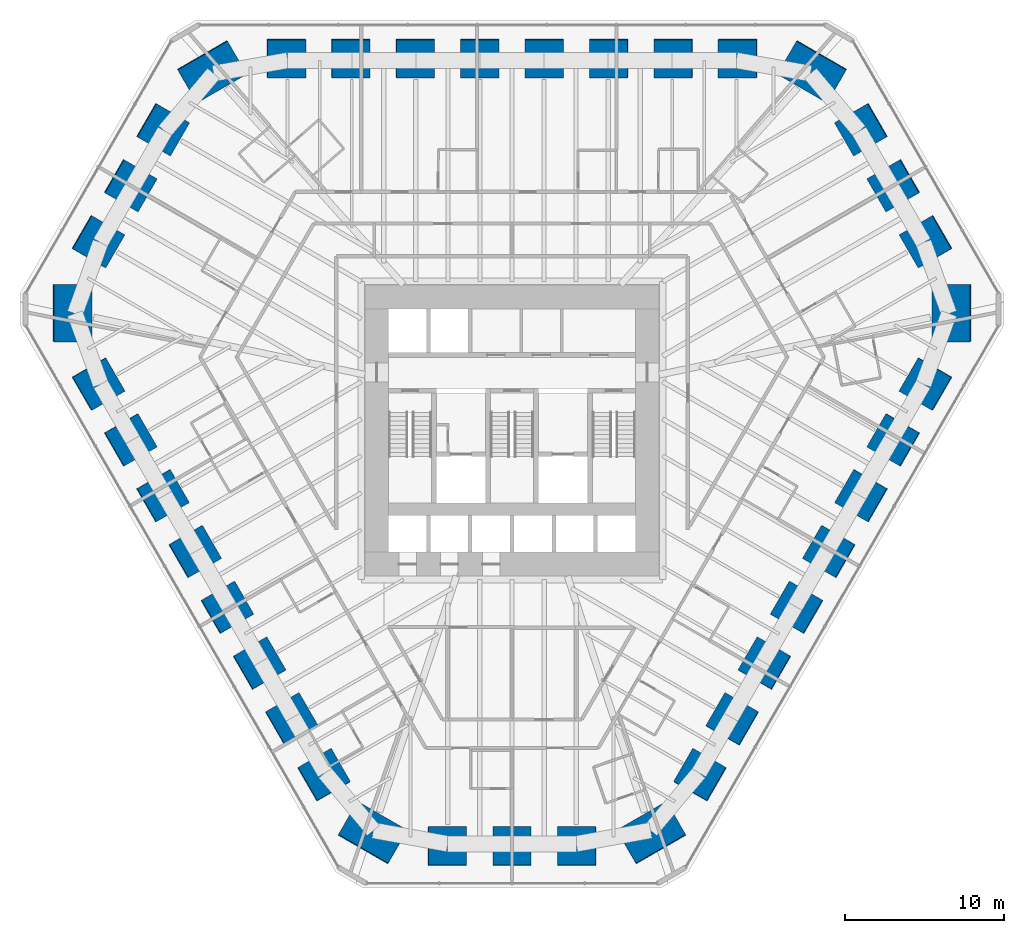
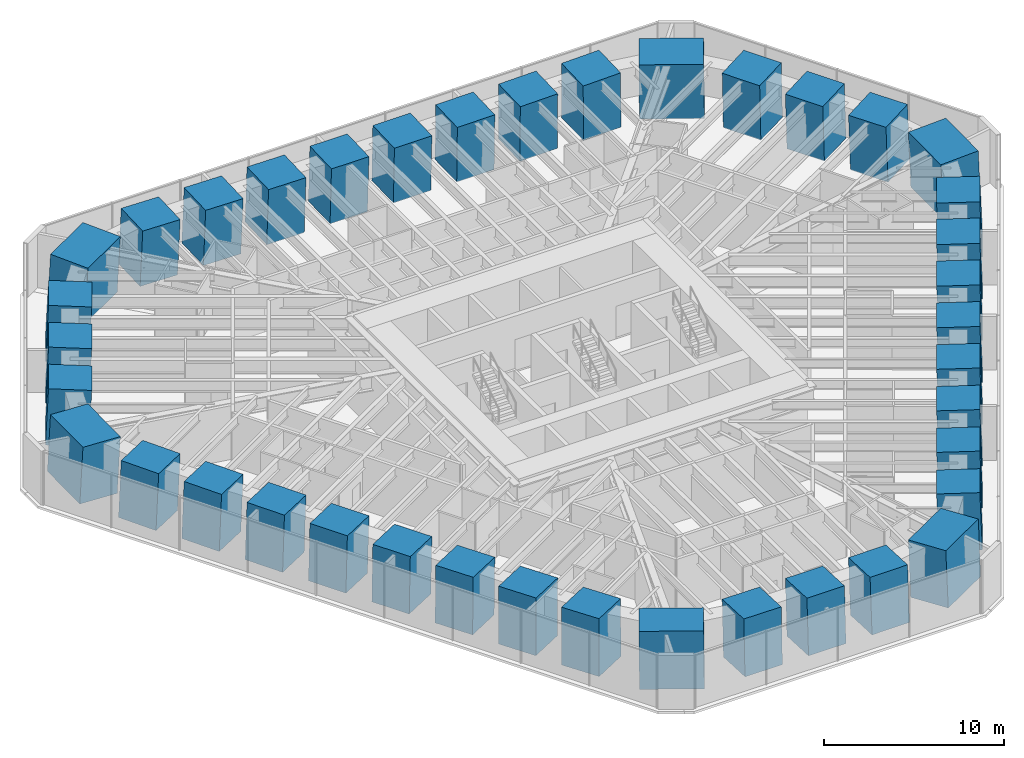
# One storey, part 1 of 17: 39 columns.
"""IFC4 building model written with IfcOpenShell, lengths in metres."""

from ifc_helpers import new_model, si_unit, direction, frame, origin, origin_2d, place, context, subcontext, project, spatial, rectangle, extrude, material, material_profile, profile_set, type_object, element, save


model = new_model("IFC4")

# Units and contexts
model_context = context("Model", 3, precision=1e-05, world=origin(), true_north=direction((0.0, 1.0)))
body_context = subcontext(model_context, "Body", "Model", "MODEL_VIEW")
ifc_project = project(units=[si_unit("LENGTHUNIT", "METRE"), si_unit("AREAUNIT", "SQUARE_METRE"), si_unit("VOLUMEUNIT", "CUBIC_METRE"), si_unit("PLANEANGLEUNIT", "RADIAN"), si_unit("MASSUNIT", "GRAM", prefix="KILO")], contexts=[model_context])

# Site, building, storey
site_placement = place(None, origin())
site = spatial("IfcSite", under=ifc_project, at=site_placement, CompositionType="ELEMENT")
building_placement = place(site_placement, origin())
building = spatial("IfcBuilding", under=site, at=building_placement, Name="Sandreach Pilgrim Tower", CompositionType="ELEMENT")
storey_placement = place(building_placement, frame((0.0, 0.0, 80.0)))
storey = spatial("IfcBuildingStorey", under=building, at=storey_placement, Name="L19", CompositionType="ELEMENT", Elevation=80.0)

# Columns
ifc_material_1 = material(Name="Concrete 10000 psi", Category="concrete")
ifc_material_profile_1 = material_profile(ifc_material_1, rectangle(XDim=2.39990234375, YDim=2.39990234375, at=origin_2d()), Name="RC2400X2400")
ifc_profile_set_1 = profile_set([ifc_material_profile_1], Name="Concrete 10000 psi")
column_type_1 = type_object("IfcColumnType", Name="Raked tube column RC2400X2400", PredefinedType="COLUMN", material=ifc_profile_set_1)
column_1_placement = place(storey_placement, frame((-14.18896484375, 21.848388671875, 0.0), z_axis=(0.0238126955, -0.036713913278, 0.999042063231), x_axis=(0.001457588232, 0.999325647249, 0.036689592354)))
element("IfcColumn", 1, at=column_1_placement, inside=storey, type_object=column_type_1, Name="COL L19 T01", PredefinedType="COLUMN", context=body_context, shape_type="SweptSolid", body=[
    extrude(rectangle(XDim=2.39990234375, YDim=2.39990234375, at=origin_2d()), origin(), (0.0, 0.0, 1.0), 3.8037109375),
])
column_2_placement = place(storey_placement, frame((-10.135009765625, 21.8486328125, 0.0), z_axis=(0.017011430722, -0.036719012729, 0.999180827142), x_axis=(0.001112013962, 0.99932551115, 0.036705397281)))
element("IfcColumn", 2, at=column_2_placement, inside=storey, type_object=column_type_1, Name="COL L19 T02", PredefinedType="COLUMN", context=body_context, shape_type="SweptSolid", body=[
    extrude(rectangle(XDim=2.39990234375, YDim=2.39990234375, at=origin_2d()), origin(), (0.0, 0.0, 1.0), 3.80322265625),
])
for number, where, z_axis, x_axis, name in (
    (3, (-6.0810546875, 21.848876953125, 0.0), (0.010207803765, -0.036722413544, 0.999273368546), (0.000704593406, 0.99932545045, 0.036717129927), "COL L19 T03"),
    (4, (-2.027099609375, 21.849365234375, 0.0), (0.003402758843, -0.036724114306, 0.999319648892), (0.000242365854, 0.999325435323, 0.036723501678), "COL L19 T04"),
    (5, (2.027099609375, 21.849365234375, 0.0), (-0.003402758843, -0.036724114306, 0.999319648892), (-0.000242365854, 0.999325435323, 0.036723501678), "COL L19 T05"),
    (6, (6.0810546875, 21.848876953125, 0.0), (-0.010207803765, -0.036722413544, 0.999273368546), (-0.000704593406, 0.99932545045, 0.036717129927), "COL L19 T06"),
):
    element("IfcColumn", number, at=place(storey_placement, frame(where, z_axis=z_axis, x_axis=x_axis)), inside=storey, type_object=column_type_1, Name=name, PredefinedType="COLUMN", context=body_context, shape_type="SweptSolid", body=[
        extrude(rectangle(XDim=2.39990234375, YDim=2.39990234375, at=origin_2d()), origin(), (0.0, 0.0, 1.0), 3.802734375),
    ])
column_3_placement = place(storey_placement, frame((10.135009765625, 21.8486328125, 0.0), z_axis=(-0.017011430722, -0.036719012729, 0.999180827142), x_axis=(-0.001112013962, 0.99932551115, 0.036705397281)))
element("IfcColumn", 7, at=column_3_placement, inside=storey, type_object=column_type_1, Name="COL L19 T07", PredefinedType="COLUMN", context=body_context, shape_type="SweptSolid", body=[
    extrude(rectangle(XDim=2.39990234375, YDim=2.39990234375, at=origin_2d()), origin(), (0.0, 0.0, 1.0), 3.80322265625),
])
column_4_placement = place(storey_placement, frame((14.18896484375, 21.848388671875, 0.0), z_axis=(-0.0238126955, -0.036713913278, 0.999042063231), x_axis=(-0.001457588232, 0.999325647249, 0.036689592354)))
element("IfcColumn", 8, at=column_4_placement, inside=storey, type_object=column_type_1, Name="COL L19 T08", PredefinedType="COLUMN", context=body_context, shape_type="SweptSolid", body=[
    extrude(rectangle(XDim=2.39990234375, YDim=2.39990234375, at=origin_2d()), origin(), (0.0, 0.0, 1.0), 3.8037109375),
])
column_5_placement = place(storey_placement, frame((21.95556640625, 17.37353515625, 0.0), z_axis=(-0.036324594823, -0.028751622758, 0.998926357646), x_axis=(0.865203233746, 0.499322177845, 0.045833688787)))
element("IfcColumn", 9, at=column_5_placement, inside=storey, type_object=column_type_1, Name="COL L19 T10", PredefinedType="COLUMN", context=body_context, shape_type="SweptSolid", body=[
    extrude(rectangle(XDim=2.39990234375, YDim=2.39990234375, at=origin_2d()), origin(), (0.0, 0.0, 1.0), 3.80419921875),
])
column_6_placement = place(storey_placement, frame((23.989990234375, 13.8505859375, 0.0), z_axis=(-0.039726869437, -0.02291194247, 0.998947855865), x_axis=(0.865344046472, 0.499075645542, 0.045860454239)))
element("IfcColumn", 10, at=column_6_placement, inside=storey, type_object=column_type_1, Name="COL L19 T11", PredefinedType="COLUMN", context=body_context, shape_type="SweptSolid", body=[
    extrude(rectangle(XDim=2.39990234375, YDim=2.39990234375, at=origin_2d()), origin(), (0.0, 0.0, 1.0), 3.803955078125),
])
column_7_placement = place(storey_placement, frame((26.023681640625, 10.327392578125, 0.0), z_axis=(-0.043063214726, -0.017135437156, 0.998925390773), x_axis=(0.864497674409, 0.500540860582, 0.045854310909)))
element("IfcColumn", 11, at=column_7_placement, inside=storey, type_object=column_type_1, Name="COL L19 T12", PredefinedType="COLUMN", context=body_context, shape_type="SweptSolid", body=[
    extrude(rectangle(XDim=2.39990234375, YDim=2.39990234375, at=origin_2d()), origin(), (0.0, 0.0, 1.0), 3.80419921875),
])
column_8_placement = place(storey_placement, frame((26.015625, 1.36376953125, 0.0), z_axis=(-0.043710081557, -0.002246479963, 0.99904173191), x_axis=(0.864490436005, -0.501307983687, 0.036695933665)))
element("IfcColumn", 12, at=column_8_placement, inside=storey, type_object=column_type_1, Name="COL L19 T14", PredefinedType="COLUMN", context=body_context, shape_type="SweptSolid", body=[
    extrude(rectangle(XDim=2.39990234375, YDim=2.39990234375, at=origin_2d()), origin(), (0.0, 0.0, 1.0), 3.8037109375),
])
column_9_placement = place(storey_placement, frame((23.989013671875, -2.14697265625, 0.0), z_axis=(-0.040313871888, 0.003594867557, 0.999180598621), x_axis=(0.865292276739, -0.499921607788, 0.036710514605)))
element("IfcColumn", 13, at=column_9_placement, inside=storey, type_object=column_type_1, Name="COL L19 T15", PredefinedType="COLUMN", context=body_context, shape_type="SweptSolid", body=[
    extrude(rectangle(XDim=2.39990234375, YDim=2.39990234375, at=origin_2d()), origin(), (0.0, 0.0, 1.0), 3.80322265625),
])
for number, where, z_axis, x_axis, name in (
    (14, (21.96240234375, -5.657958984375, 0.0), (-0.036915008746, 0.009501602251, 0.99927323675), (0.865363128074, -0.499798223787, 0.036720458449), "COL L19 T16"),
    (15, (19.935546875, -9.169189453125, 0.0), (-0.033513958168, 0.015408716399, 0.999319461467), (0.865447927191, -0.499650776395, 0.03672855794), "COL L19 T17"),
    (16, (17.908447265625, -12.68017578125, 0.0), (-0.030111193695, 0.021315386582, 0.999319253447), (0.865557695046, -0.499460185975, 0.036734169015), "COL L19 T18"),
    (17, (15.881103515625, -16.19091796875, 0.0), (-0.026643035303, 0.027220836069, 0.999274324074), (0.865095217985, -0.500263818774, 0.036692989054), "COL L19 T19"),
):
    element("IfcColumn", number, at=place(storey_placement, frame(where, z_axis=z_axis, x_axis=x_axis)), inside=storey, type_object=column_type_1, Name=name, PredefinedType="COLUMN", context=body_context, shape_type="SweptSolid", body=[
        extrude(rectangle(XDim=2.39990234375, YDim=2.39990234375, at=origin_2d()), origin(), (0.0, 0.0, 1.0), 3.802734375),
    ])
column_10_placement = place(storey_placement, frame((13.85400390625, -19.70166015625, 0.0), z_axis=(-0.02330242081, 0.033124102308, 0.999179558954), x_axis=(0.865853874056, -0.498946587993, 0.036733787066)))
element("IfcColumn", 18, at=column_10_placement, inside=storey, type_object=column_type_1, Name="COL L19 T20", PredefinedType="COLUMN", context=body_context, shape_type="SweptSolid", body=[
    extrude(rectangle(XDim=2.39990234375, YDim=2.39990234375, at=origin_2d()), origin(), (0.0, 0.0, 1.0), 3.80322265625),
])
column_11_placement = place(storey_placement, frame((11.82666015625, -23.212158203125, 0.0), z_axis=(-0.019833251954, 0.038960465812, 0.999043905052), x_axis=(0.865703965576, -0.49921248457, 0.036654320816)))
element("IfcColumn", 19, at=column_11_placement, inside=storey, type_object=column_type_1, Name="COL L19 T21", PredefinedType="COLUMN", context=body_context, shape_type="SweptSolid", body=[
    extrude(rectangle(XDim=2.39990234375, YDim=2.39990234375, at=origin_2d()), origin(), (0.0, 0.0, 1.0), 3.8037109375),
])
column_12_placement = place(storey_placement, frame((4.068115234375, -27.700927734375, 0.0), z_axis=(-0.00673864507, 0.045886964046, 0.998923909611), x_axis=(-0.00031485931, -0.998946638466, 0.045885884117)))
element("IfcColumn", 20, at=column_12_placement, inside=storey, type_object=column_type_1, Name="COL L19 T23", PredefinedType="COLUMN", context=body_context, shape_type="SweptSolid", body=[
    extrude(rectangle(XDim=2.39990234375, YDim=2.39990234375, at=origin_2d()), origin(), (0.0, 0.0, 1.0), 3.80419921875),
])
column_13_placement = place(storey_placement, frame((0.0, -27.701171875, 0.0), z_axis=(0.0, 0.04582396176, 0.998949530521), x_axis=(0.0, -0.998949530521, 0.04582396176)))
element("IfcColumn", 21, at=column_13_placement, inside=storey, type_object=column_type_1, Name="COL L19 T24", PredefinedType="COLUMN", context=body_context, shape_type="SweptSolid", body=[
    extrude(rectangle(XDim=2.39990234375, YDim=2.39990234375, at=origin_2d()), origin(), (0.0, 0.0, 1.0), 3.803955078125),
])
column_14_placement = place(storey_placement, frame((-4.068115234375, -27.700927734375, 0.0), z_axis=(0.00673864507, 0.045886964046, 0.998923909611), x_axis=(0.00031485931, -0.998946638466, 0.045885884117)))
element("IfcColumn", 22, at=column_14_placement, inside=storey, type_object=column_type_1, Name="COL L19 T25", PredefinedType="COLUMN", context=body_context, shape_type="SweptSolid", body=[
    extrude(rectangle(XDim=2.39990234375, YDim=2.39990234375, at=origin_2d()), origin(), (0.0, 0.0, 1.0), 3.80419921875),
])
column_15_placement = place(storey_placement, frame((-11.82666015625, -23.212158203125, 0.0), z_axis=(0.019833251954, 0.038960465812, 0.999043905052), x_axis=(-0.865703965576, -0.49921248457, 0.036654320816)))
element("IfcColumn", 23, at=column_15_placement, inside=storey, type_object=column_type_1, Name="COL L19 T27", PredefinedType="COLUMN", context=body_context, shape_type="SweptSolid", body=[
    extrude(rectangle(XDim=2.39990234375, YDim=2.39990234375, at=origin_2d()), origin(), (0.0, 0.0, 1.0), 3.8037109375),
])
column_16_placement = place(storey_placement, frame((-13.85400390625, -19.70166015625, 0.0), z_axis=(0.02330242081, 0.033124102308, 0.999179558954), x_axis=(-0.865853874056, -0.498946587993, 0.036733787066)))
element("IfcColumn", 24, at=column_16_placement, inside=storey, type_object=column_type_1, Name="COL L19 T28", PredefinedType="COLUMN", context=body_context, shape_type="SweptSolid", body=[
    extrude(rectangle(XDim=2.39990234375, YDim=2.39990234375, at=origin_2d()), origin(), (0.0, 0.0, 1.0), 3.80322265625),
])
for number, where, z_axis, x_axis, name in (
    (25, (-15.881103515625, -16.19091796875, 0.0), (0.026643035303, 0.027220836069, 0.999274324074), (-0.865095217985, -0.500263818774, 0.036692989054), "COL L19 T29"),
    (26, (-17.908447265625, -12.68017578125, 0.0), (0.030111193695, 0.021315386582, 0.999319253447), (-0.865557695046, -0.499460185975, 0.036734169015), "COL L19 T30"),
    (27, (-19.935546875, -9.169189453125, 0.0), (0.033513958168, 0.015408716399, 0.999319461467), (-0.865447927191, -0.499650776395, 0.03672855794), "COL L19 T31"),
    (28, (-21.96240234375, -5.657958984375, 0.0), (0.036915008746, 0.009501602251, 0.99927323675), (-0.865363128074, -0.499798223787, 0.036720458449), "COL L19 T32"),
):
    element("IfcColumn", number, at=place(storey_placement, frame(where, z_axis=z_axis, x_axis=x_axis)), inside=storey, type_object=column_type_1, Name=name, PredefinedType="COLUMN", context=body_context, shape_type="SweptSolid", body=[
        extrude(rectangle(XDim=2.39990234375, YDim=2.39990234375, at=origin_2d()), origin(), (0.0, 0.0, 1.0), 3.802734375),
    ])
column_17_placement = place(storey_placement, frame((-23.989013671875, -2.14697265625, 0.0), z_axis=(0.040313871888, 0.003594867557, 0.999180598621), x_axis=(-0.865292276739, -0.499921607788, 0.036710514605)))
element("IfcColumn", 29, at=column_17_placement, inside=storey, type_object=column_type_1, Name="COL L19 T33", PredefinedType="COLUMN", context=body_context, shape_type="SweptSolid", body=[
    extrude(rectangle(XDim=2.39990234375, YDim=2.39990234375, at=origin_2d()), origin(), (0.0, 0.0, 1.0), 3.80322265625),
])
column_18_placement = place(storey_placement, frame((-26.015625, 1.36376953125, 0.0), z_axis=(0.043710081557, -0.002246479963, 0.99904173191), x_axis=(-0.864490436005, -0.501307983687, 0.036695933665)))
element("IfcColumn", 30, at=column_18_placement, inside=storey, type_object=column_type_1, Name="COL L19 T34", PredefinedType="COLUMN", context=body_context, shape_type="SweptSolid", body=[
    extrude(rectangle(XDim=2.39990234375, YDim=2.39990234375, at=origin_2d()), origin(), (0.0, 0.0, 1.0), 3.8037109375),
])
column_19_placement = place(storey_placement, frame((-26.023681640625, 10.327392578125, 0.0), z_axis=(0.043063214726, -0.017135437156, 0.998925390773), x_axis=(-0.864497674409, 0.500540860582, 0.045854310909)))
element("IfcColumn", 31, at=column_19_placement, inside=storey, type_object=column_type_1, Name="COL L19 T36", PredefinedType="COLUMN", context=body_context, shape_type="SweptSolid", body=[
    extrude(rectangle(XDim=2.39990234375, YDim=2.39990234375, at=origin_2d()), origin(), (0.0, 0.0, 1.0), 3.80419921875),
])
column_20_placement = place(storey_placement, frame((-23.989990234375, 13.8505859375, 0.0), z_axis=(0.039726869437, -0.02291194247, 0.998947855865), x_axis=(-0.865344046472, 0.499075645542, 0.045860454239)))
element("IfcColumn", 32, at=column_20_placement, inside=storey, type_object=column_type_1, Name="COL L19 T37", PredefinedType="COLUMN", context=body_context, shape_type="SweptSolid", body=[
    extrude(rectangle(XDim=2.39990234375, YDim=2.39990234375, at=origin_2d()), origin(), (0.0, 0.0, 1.0), 3.803955078125),
])
column_21_placement = place(storey_placement, frame((-21.95556640625, 17.37353515625, 0.0), z_axis=(0.036324594823, -0.028751622758, 0.998926357646), x_axis=(-0.865203233746, 0.499322177845, 0.045833688787)))
element("IfcColumn", 33, at=column_21_placement, inside=storey, type_object=column_type_1, Name="COL L19 T38", PredefinedType="COLUMN", context=body_context, shape_type="SweptSolid", body=[
    extrude(rectangle(XDim=2.39990234375, YDim=2.39990234375, at=origin_2d()), origin(), (0.0, 0.0, 1.0), 3.80419921875),
])
ifc_material_2 = material(Name="Concrete 10000 psi", Category="concrete")
ifc_material_profile_2 = material_profile(ifc_material_2, rectangle(XDim=2.39990234375, YDim=3.60009765625, at=origin_2d()), Name="RC2400X3600")
ifc_profile_set_2 = profile_set([ifc_material_profile_2], Name="Concrete 10000 psi")
column_type_2 = type_object("IfcColumnType", Name="Raked tube corner pier RC2400X3600", PredefinedType="COLUMN", material=ifc_profile_set_2)
for number, where, z_axis, x_axis, name in (
    (34, (18.87451171875, 21.019775390625, 0.0), (-0.031958280822, -0.035551983084, 0.998856708836), (0.499520046627, 0.86503883454, 0.046771120948), "COL L19 T09"),
    (35, (27.640869140625, 5.8359375, 0.0), (-0.04678227982, -0.009882676395, 0.998856221386), (0.998905103639, -0.000352183695, 0.046781084758), "COL L19 T13"),
    (36, (8.766357421875, -26.855712890625, 0.0), (-0.014823987579, 0.04549873244, 0.998854401171), (0.499371140737, -0.865122253304, 0.046818272477), "COL L19 T22"),
    (37, (-8.766357421875, -26.855712890625, 0.0), (0.014823987579, 0.04549873244, 0.998854401171), (-0.499371140737, -0.865122253304, 0.046818272477), "COL L19 T26"),
    (38, (-27.640869140625, 5.8359375, 0.0), (0.04678227982, -0.009882676395, 0.998856221386), (-0.998905103639, -0.000352183695, 0.046781084758), "COL L19 T35"),
    (39, (-18.87451171875, 21.019775390625, 0.0), (0.031958280822, -0.035551983084, 0.998856708836), (-0.499520046627, 0.86503883454, 0.046771120948), "COL L19 T39"),
):
    element("IfcColumn", number, at=place(storey_placement, frame(where, z_axis=z_axis, x_axis=x_axis)), inside=storey, type_object=column_type_2, Name=name, PredefinedType="COLUMN", context=body_context, shape_type="SweptSolid", body=[
        extrude(rectangle(XDim=2.39990234375, YDim=3.60009765625, at=origin_2d()), origin(), (0.0, 0.0, 1.0), 3.804443359375),
    ])

save(model, "model.ifc")
